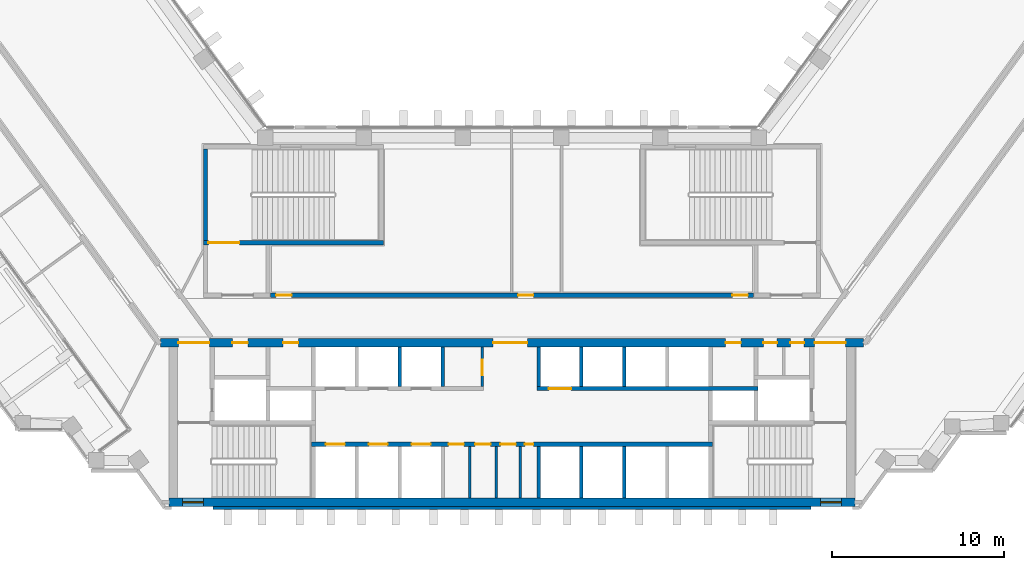
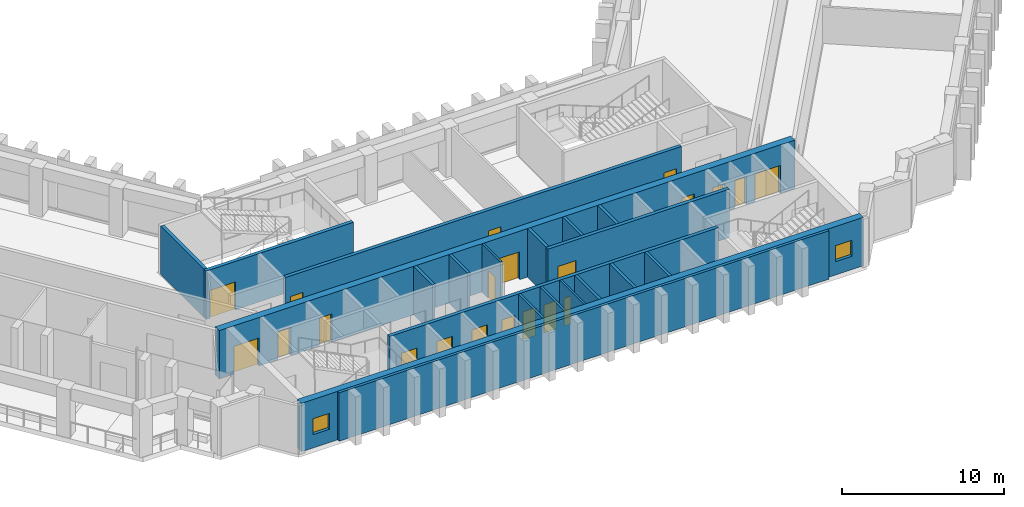
# One storey, part 9 of 16: 21 doors, 20 walls, 2 windows, 23 openings.
"""IFC4 building model written with IfcOpenShell, lengths in metres."""

import ifcopenshell
import ifcopenshell.guid

model = None  # the IFC model being written
_history = None  # IfcOwnerHistory: only IFC2X3 demands one
_inside = {}  # id of a spatial element -> (the spatial element, [elements in it])
_under = {}  # id of a project, library or spatial element -> (it, [spatial elements below it])
_declared = {}  # id of a project -> (the project, [libraries it declares])
_typed = {}  # id of a type object -> (the type object, [elements of that type])
_made_of = {}  # id of a material, layer set ... -> (it, [elements and type objects made of it])


def new_model(schema):
    """Start an empty IFC model of exactly this schema.

    Asked for "IFC4X3", IfcOpenShell would pick the latest addendum, in which some entities
    have other attributes; the version numbers below select the first issue.
    IFC2X3 requires an IfcOwnerHistory on every rooted entity: one is made here for all.
    """
    global model, _history
    if schema == "IFC4X3":
        model = ifcopenshell.file(schema_version=(4, 3, 0, 0))
    else:
        model = ifcopenshell.file(schema=schema)
    _inside.clear()
    _under.clear()
    _declared.clear()
    _typed.clear()
    _made_of.clear()
    _history = None
    if model.schema == "IFC2X3":
        org = make("IfcOrganization", Name="unknown")
        user = make(
            "IfcPersonAndOrganization",
            ThePerson=make("IfcPerson", FamilyName="unknown"),
            TheOrganization=org,
        )
        app = make(
            "IfcApplication",
            ApplicationDeveloper=org,
            Version="unknown",
            ApplicationFullName="unknown",
            ApplicationIdentifier="unknown",
        )
        _history = make(
            "IfcOwnerHistory",
            OwningUser=user,
            OwningApplication=app,
            ChangeAction="ADDED",
            CreationDate=0,
        )
    return model


def make(cls, **values):
    """One entity of the class cls with the attributes given. An attribute that is None is left unset."""
    return model.create_entity(
        cls, **{name: value for name, value in values.items() if value is not None}
    )


def rooted(cls, **values):
    """An entity with a GlobalId (a new one), such as an element, a storey or a relation."""
    return make(cls, GlobalId=ifcopenshell.guid.new(), OwnerHistory=_history, **values)


def si_unit(unit_type, name, prefix=None):
    """IfcSIUnit, for example si_unit("LENGTHUNIT", "METRE", prefix="MILLI")."""
    return make("IfcSIUnit", UnitType=unit_type, Prefix=prefix, Name=name)


def assignment(units):
    """IfcUnitAssignment: the units of a project."""
    return None if units is None else make("IfcUnitAssignment", Units=units)


def point(xyz):
    """IfcCartesianPoint."""
    return None if xyz is None else make("IfcCartesianPoint", Coordinates=xyz)


def direction(xyz):
    """IfcDirection."""
    return None if xyz is None else make("IfcDirection", DirectionRatios=xyz)


def frame(location, z_axis=None, x_axis=None):
    """IfcAxis2Placement3D, a coordinate frame: its origin and axes. An axis left out is left unset."""
    return make(
        "IfcAxis2Placement3D",
        Location=point(location),
        Axis=direction(z_axis),
        RefDirection=direction(x_axis),
    )


def frame_2d(location, x_axis=None):
    """IfcAxis2Placement2D, a coordinate frame in the plane: its origin and x axis."""
    return make(
        "IfcAxis2Placement2D", Location=point(location), RefDirection=direction(x_axis)
    )


def origin():
    """The frame at (0, 0, 0) with its axes left unset."""
    return frame((0.0, 0.0, 0.0))


def place(relative_to, where):
    """IfcLocalPlacement: puts the frame where relative to a parent placement (None: the world)."""
    return make(
        "IfcLocalPlacement", PlacementRelTo=relative_to, RelativePlacement=where
    )


def context(
    kind, dimensions, precision=None, world=None, true_north=None, identifier=None
):
    """IfcGeometricRepresentationContext, for example the 3D "Model" context."""
    return make(
        "IfcGeometricRepresentationContext",
        ContextIdentifier=identifier,
        ContextType=kind,
        CoordinateSpaceDimension=dimensions,
        Precision=precision,
        WorldCoordinateSystem=world,
        TrueNorth=true_north,
    )


def subcontext(parent, identifier, kind, view, scale=None):
    """IfcGeometricRepresentationSubContext, for example "Body" below "Model"."""
    return make(
        "IfcGeometricRepresentationSubContext",
        ContextIdentifier=identifier,
        ContextType=kind,
        ParentContext=parent,
        TargetScale=scale,
        TargetView=view,
    )


def project(units=None, contexts=None):
    """IfcProject with its units and contexts."""
    return rooted(
        "IfcProject",
        Name="project",
        RepresentationContexts=contexts,
        UnitsInContext=assignment(units),
    )


def spatial(cls, under=None, at=None, **own):
    """A site, building, storey or space (cls), placed at a placement, below another one or the project."""
    s = rooted(cls, ObjectPlacement=at, **own)
    if under is not None:
        _under.setdefault(under.id(), (under, []))[1].append(s)
    return s


def profile(cls, at=None, kind="AREA", **sizes):
    """A parametric profile (cls). Its sizes go by their IFC names, for example OverallWidth=200.0."""
    return make(cls, ProfileType=kind, Position=at, **sizes)


def rectangle(**sizes):
    """IfcRectangleProfileDef."""
    return profile("IfcRectangleProfileDef", **sizes)


def extrude(swept, where, along, depth):
    """IfcExtrudedAreaSolid: the profile swept, set in the frame where, extruded along a direction by depth."""
    return make(
        "IfcExtrudedAreaSolid",
        SweptArea=swept,
        Position=where,
        ExtrudedDirection=direction(along),
        Depth=depth,
    )


def shape(context_of_items, identifier, shape_type, items):
    """IfcShapeRepresentation: the items that make up one representation, for example the "Body"."""
    return make(
        "IfcShapeRepresentation",
        ContextOfItems=context_of_items,
        RepresentationIdentifier=identifier,
        RepresentationType=shape_type,
        Items=items,
    )


def material(Name=None, Category=None):
    """IfcMaterial."""
    return make("IfcMaterial", Name=Name, Category=Category)


def layer(
    of_material, thickness, ventilated=None, Name=None, Category=None, Priority=None
):
    """IfcMaterialLayer: one layer of a wall or slab, of a material (None: an air gap)."""
    return make(
        "IfcMaterialLayer",
        Material=of_material,
        LayerThickness=thickness,
        IsVentilated=ventilated,
        Name=Name,
        Category=Category,
        Priority=Priority,
    )


def layer_set(layers, Name=None):
    """IfcMaterialLayerSet."""
    return make("IfcMaterialLayerSet", MaterialLayers=layers, LayerSetName=Name)


def made_of(thing, what):
    """Note that an element or type object is made of a material, layer set ...; save() writes the relation."""
    if what is not None:
        _made_of.setdefault(what.id(), (what, []))[1].append(thing)
    return thing


def type_object(cls, material=None, **own):
    """A type object (cls), such as IfcWallType, which elements share."""
    return made_of(rooted(cls, **own), material)


def element(
    cls,
    number,
    at=None,
    inside=None,
    cuts=None,
    type_object=None,
    material=None,
    context=None,
    identifier="Body",
    shape_type=None,
    held_by="IfcProductDefinitionShape",
    body=None,
    shapes=None,
    **own,
):
    """One element of the class cls, such as IfcWall. Its Tag is "e" and its number.

    at: its placement. inside: the storey or other place that contains it. cuts: it is an
    opening in that element (IfcRelVoidsElement). A single representation is given by context,
    identifier, shape_type and body (its items); several are given by shapes. held_by: the class
    of the entity that holds the representations. save() writes the other relations.
    """
    e = rooted(cls, Tag="e%d" % number, ObjectPlacement=at, **own)
    if body is not None:
        shapes = [shape(context, identifier, shape_type, body)]
    if shapes is not None:
        e.Representation = make(held_by, Representations=shapes)
    if inside is not None:
        _inside.setdefault(inside.id(), (inside, []))[1].append(e)
    if cuts is not None:
        rooted(
            "IfcRelVoidsElement", RelatingBuildingElement=cuts, RelatedOpeningElement=e
        )
    if type_object is not None:
        _typed.setdefault(type_object.id(), (type_object, []))[1].append(e)
    return made_of(e, material)


def fill(opening, filler):
    """IfcRelFillsElement: the door or window that sits in an opening."""
    return rooted(
        "IfcRelFillsElement",
        RelatingOpeningElement=opening,
        RelatedBuildingElement=filler,
    )


def aggregate(whole, parts):
    """IfcRelAggregates: a whole, such as a stair, and the parts it consists of."""
    return rooted("IfcRelAggregates", RelatingObject=whole, RelatedObjects=parts)


def save(model, path):
    """Write the relations noted so far, then the file.

    IfcRelAggregates (storeys below a building ...), IfcRelContainedInSpatialStructure (elements
    in a storey), IfcRelDefinesByType, IfcRelAssociatesMaterial and IfcRelDeclares: one each for
    every whole, place, type object, material and project.
    """
    for whole, parts in _under.values():
        aggregate(whole, parts)
    for where, things in _inside.values():
        rooted(
            "IfcRelContainedInSpatialStructure",
            RelatedElements=things,
            RelatingStructure=where,
        )
    for kind, things in _typed.values():
        rooted("IfcRelDefinesByType", RelatedObjects=things, RelatingType=kind)
    for what, things in _made_of.values():
        rooted("IfcRelAssociatesMaterial", RelatedObjects=things, RelatingMaterial=what)
    for by, libraries in _declared.values():
        rooted("IfcRelDeclares", RelatingContext=by, RelatedDefinitions=libraries)
    model.write(path)


model = new_model("IFC4")

# Units and contexts
model_context = context("Model", 3, precision=1e-05, world=origin(), true_north=direction((0.0, 1.0)))
body_context = subcontext(model_context, "Body", "Model", "MODEL_VIEW")
ifc_project = project(units=[si_unit("LENGTHUNIT", "METRE"), si_unit("AREAUNIT", "SQUARE_METRE"), si_unit("VOLUMEUNIT", "CUBIC_METRE"), si_unit("PLANEANGLEUNIT", "RADIAN"), si_unit("MASSUNIT", "GRAM", prefix="KILO")], contexts=[model_context])

# Site, building, storey
site_placement = place(None, origin())
site = spatial("IfcSite", under=ifc_project, at=site_placement, CompositionType="ELEMENT")
building_placement = place(site_placement, origin())
building = spatial("IfcBuilding", under=site, at=building_placement, Name="Quipu Civic Tower", CompositionType="ELEMENT")
storey_placement = place(building_placement, frame((0.0, 0.0, 63.0)))
storey = spatial("IfcBuildingStorey", under=building, at=storey_placement, Name="L14", CompositionType="ELEMENT", Elevation=63.0)

# Wall, openings, doors
ifc_material_1 = material(Name="Concrete C70/85", Category="concrete")
ifc_layer_1 = layer(ifc_material_1, 0.25)
ifc_layer_set_1 = layer_set([ifc_layer_1], Name="Concrete C70/85")
wall_type_1 = type_object("IfcWallType", Name="Core wall 250", PredefinedType="SHEAR", material=ifc_layer_set_1)
wall_1_placement = place(storey_placement, frame((11.699951171875, -7.375, 0.0), z_axis=(0.0, 0.0, 1.0), x_axis=(-1.0, 0.0, 0.0)))
wall_1 = element("IfcWall", 1, at=wall_1_placement, inside=storey, type_object=wall_type_1, Name="Core wall", PredefinedType="SHEAR", context=body_context, shape_type="SweptSolid", body=[
    extrude(rectangle(XDim=23.39990234375, YDim=0.25, at=frame_2d((11.699951171875, 0.0))), origin(), (0.0, 0.0, 1.0), 3.64990234375),
])
opening_1_placement = place(wall_1_placement, frame((21.449951171875, 0.0, 0.0)))
opening_1 = element("IfcOpeningElement", 2, at=opening_1_placement, cuts=wall_1, Name="Opening LD-LL1", PredefinedType="OPENING", context=body_context, shape_type="SweptSolid", body=[
    extrude(rectangle(XDim=1.10009765625, YDim=2.10009765625, at=frame_2d((0.550048828125, 1.050048828125))), frame((0.0, 0.135009765625, 0.0), z_axis=(0.0, -1.0, 0.0), x_axis=(1.0, 0.0, 0.0)), (0.0, 0.0, 1.0), 0.27001953125),
])
opening_2_placement = place(wall_1_placement, frame((18.949951171875, 0.0, 0.0)))
opening_2 = element("IfcOpeningElement", 3, at=opening_2_placement, cuts=wall_1, Name="Opening LD-LL2", PredefinedType="OPENING", context=body_context, shape_type="SweptSolid", body=[
    extrude(rectangle(XDim=1.10009765625, YDim=2.10009765625, at=frame_2d((0.550048828125, 1.050048828125))), frame((0.0, 0.135009765625, 0.0), z_axis=(0.0, -1.0, 0.0), x_axis=(1.0, 0.0, 0.0)), (0.0, 0.0, 1.0), 0.27001953125),
])
opening_3_placement = place(wall_1_placement, frame((16.449951171875, 0.0, 0.0)))
opening_3 = element("IfcOpeningElement", 4, at=opening_3_placement, cuts=wall_1, Name="Opening LD-LL3", PredefinedType="OPENING", context=body_context, shape_type="SweptSolid", body=[
    extrude(rectangle(XDim=1.10009765625, YDim=2.10009765625, at=frame_2d((0.550048828125, 1.050048828125))), frame((0.0, 0.135009765625, 0.0), z_axis=(0.0, -1.0, 0.0), x_axis=(1.0, 0.0, 0.0)), (0.0, 0.0, 1.0), 0.27001953125),
])
opening_4_placement = place(wall_1_placement, frame((14.5, 0.0, 0.0)))
opening_4 = element("IfcOpeningElement", 5, at=opening_4_placement, cuts=wall_1, Name="Opening CD-01", PredefinedType="OPENING", context=body_context, shape_type="SweptSolid", body=[
    extrude(rectangle(XDim=0.89990234375, YDim=2.10009765625, at=frame_2d((0.449951171875, 1.050048828125))), frame((0.0, 0.135009765625, 0.0), z_axis=(0.0, -1.0, 0.0), x_axis=(1.0, 0.0, 0.0)), (0.0, 0.0, 1.0), 0.27001953125),
])
opening_5_placement = place(wall_1_placement, frame((12.949951171875, 0.0, 0.0)))
opening_5 = element("IfcOpeningElement", 6, at=opening_5_placement, cuts=wall_1, Name="Opening CD-02", PredefinedType="OPENING", context=body_context, shape_type="SweptSolid", body=[
    extrude(rectangle(XDim=0.89990234375, YDim=2.10009765625, at=frame_2d((0.449951171875, 1.050048828125))), frame((0.0, 0.135009765625, 0.0), z_axis=(0.0, -1.0, 0.0), x_axis=(1.0, 0.0, 0.0)), (0.0, 0.0, 1.0), 0.27001953125),
])
opening_6_placement = place(wall_1_placement, frame((11.47509765625, 0.0, 0.0)))
opening_6 = element("IfcOpeningElement", 7, at=opening_6_placement, cuts=wall_1, Name="Opening CD-03", PredefinedType="OPENING", context=body_context, shape_type="SweptSolid", body=[
    extrude(rectangle(XDim=0.89990234375, YDim=2.10009765625, at=frame_2d((0.449951171875, 1.050048828125))), frame((0.0, 0.135009765625, 0.0), z_axis=(0.0, -1.0, 0.0), x_axis=(1.0, 0.0, 0.0)), (0.0, 0.0, 1.0), 0.27001953125),
])
opening_7_placement = place(wall_1_placement, frame((10.449951171875, 0.0, 0.0)))
opening_7 = element("IfcOpeningElement", 8, at=opening_7_placement, cuts=wall_1, Name="Opening CD-04", PredefinedType="OPENING", context=body_context, shape_type="SweptSolid", body=[
    extrude(rectangle(XDim=0.5, YDim=2.10009765625, at=frame_2d((0.25, 1.050048828125))), frame((0.0, 0.135009765625, 0.0), z_axis=(0.0, -1.0, 0.0), x_axis=(1.0, 0.0, 0.0)), (0.0, 0.0, 1.0), 0.27001953125),
])
ifc_material_2 = material(Name="Fire rated steel door", Category="steel")
door_type_1 = type_object("IfcDoorType", Name="Fire door FD60 500 x 2100", OperationType="NOTDEFINED", PredefinedType="DOOR", material=ifc_material_2)
door_1_placement = place(opening_7_placement, origin())
door_1 = element("IfcDoor", 9, at=door_1_placement, inside=storey, type_object=door_type_1, Name="Door", OperationType="SINGLE_SWING_LEFT", OverallHeight=2.10009765625, OverallWidth=0.5, PredefinedType="DOOR", context=body_context, shape_type="SweptSolid", body=[
    extrude(rectangle(XDim=0.5, YDim=2.10009765625, at=frame_2d((0.25, 1.050048828125))), frame((0.0, 0.02490234375, 0.0), z_axis=(0.0, -1.0, 0.0), x_axis=(1.0, 0.0, 0.0)), (0.0, 0.0, 1.0), 0.050048828125),
])
fill(opening_7, door_1)
ifc_material_3 = material(Name="Fire rated steel door", Category="steel")
door_type_2 = type_object("IfcDoorType", Name="Fire door FD60 900 x 2100", OperationType="NOTDEFINED", PredefinedType="DOOR", material=ifc_material_3)
door_2_placement = place(opening_4_placement, origin())
door_2 = element("IfcDoor", 10, at=door_2_placement, inside=storey, type_object=door_type_2, Name="WC door", OperationType="SINGLE_SWING_RIGHT", OverallHeight=2.10009765625, OverallWidth=0.89990234375, PredefinedType="DOOR", context=body_context, shape_type="SweptSolid", body=[
    extrude(rectangle(XDim=0.89990234375, YDim=2.10009765625, at=frame_2d((0.449951171875, 1.050048828125))), frame((0.0, 0.02490234375, 0.0), z_axis=(0.0, -1.0, 0.0), x_axis=(1.0, 0.0, 0.0)), (0.0, 0.0, 1.0), 0.050048828125),
])
fill(opening_4, door_2)
door_3_placement = place(opening_5_placement, origin())
door_3 = element("IfcDoor", 11, at=door_3_placement, inside=storey, type_object=door_type_2, Name="WC door", OperationType="SINGLE_SWING_RIGHT", OverallHeight=2.10009765625, OverallWidth=0.89990234375, PredefinedType="DOOR", context=body_context, shape_type="SweptSolid", body=[
    extrude(rectangle(XDim=0.89990234375, YDim=2.10009765625, at=frame_2d((0.449951171875, 1.050048828125))), frame((0.0, 0.02490234375, 0.0), z_axis=(0.0, -1.0, 0.0), x_axis=(1.0, 0.0, 0.0)), (0.0, 0.0, 1.0), 0.050048828125),
])
fill(opening_5, door_3)
door_4_placement = place(opening_6_placement, origin())
door_4 = element("IfcDoor", 12, at=door_4_placement, inside=storey, type_object=door_type_2, Name="WC door", OperationType="SINGLE_SWING_RIGHT", OverallHeight=2.10009765625, OverallWidth=0.89990234375, PredefinedType="DOOR", context=body_context, shape_type="SweptSolid", body=[
    extrude(rectangle(XDim=0.89990234375, YDim=2.10009765625, at=frame_2d((0.449951171875, 1.050048828125))), frame((0.0, 0.02490234375, 0.0), z_axis=(0.0, -1.0, 0.0), x_axis=(1.0, 0.0, 0.0)), (0.0, 0.0, 1.0), 0.050048828125),
])
fill(opening_6, door_4)
ifc_material_4 = material(Name="Stainless steel", Category="steel")
door_type_3 = type_object("IfcDoorType", Name="Lift landing door 1100 x 2100", OperationType="DOUBLE_DOOR_SLIDING", PredefinedType="DOOR", material=ifc_material_4)
door_5_placement = place(opening_1_placement, origin())
door_5 = element("IfcDoor", 13, at=door_5_placement, inside=storey, type_object=door_type_3, Name="Landing door LL1", OperationType="DOUBLE_DOOR_SLIDING", OverallHeight=2.10009765625, OverallWidth=1.10009765625, PredefinedType="DOOR", context=body_context, shape_type="SweptSolid", body=[
    extrude(rectangle(XDim=1.10009765625, YDim=2.10009765625, at=frame_2d((0.550048828125, 1.050048828125))), frame((0.0, 0.02490234375, 0.0), z_axis=(0.0, -1.0, 0.0), x_axis=(1.0, 0.0, 0.0)), (0.0, 0.0, 1.0), 0.050048828125),
])
fill(opening_1, door_5)
door_6_placement = place(opening_2_placement, origin())
door_6 = element("IfcDoor", 14, at=door_6_placement, inside=storey, type_object=door_type_3, Name="Landing door LL2", OperationType="DOUBLE_DOOR_SLIDING", OverallHeight=2.10009765625, OverallWidth=1.10009765625, PredefinedType="DOOR", context=body_context, shape_type="SweptSolid", body=[
    extrude(rectangle(XDim=1.10009765625, YDim=2.10009765625, at=frame_2d((0.550048828125, 1.050048828125))), frame((0.0, 0.02490234375, 0.0), z_axis=(0.0, -1.0, 0.0), x_axis=(1.0, 0.0, 0.0)), (0.0, 0.0, 1.0), 0.050048828125),
])
fill(opening_2, door_6)
door_7_placement = place(opening_3_placement, origin())
door_7 = element("IfcDoor", 15, at=door_7_placement, inside=storey, type_object=door_type_3, Name="Landing door LL3", OperationType="DOUBLE_DOOR_SLIDING", OverallHeight=2.10009765625, OverallWidth=1.10009765625, PredefinedType="DOOR", context=body_context, shape_type="SweptSolid", body=[
    extrude(rectangle(XDim=1.10009765625, YDim=2.10009765625, at=frame_2d((0.550048828125, 1.050048828125))), frame((0.0, 0.02490234375, 0.0), z_axis=(0.0, -1.0, 0.0), x_axis=(1.0, 0.0, 0.0)), (0.0, 0.0, 1.0), 0.050048828125),
])
fill(opening_3, door_7)

# Wall, opening, door
wall_2_placement = place(storey_placement, frame((1.449951171875, -4.125, 0.0), z_axis=(0.0, 0.0, 1.0), x_axis=(1.0, 0.0, 0.0)))
wall_2 = element("IfcWall", 16, at=wall_2_placement, inside=storey, type_object=wall_type_1, Name="Core wall", PredefinedType="SHEAR", context=body_context, shape_type="SweptSolid", body=[
    extrude(rectangle(XDim=12.900146484375, YDim=0.25, at=frame_2d((6.4501953125, 0.0))), origin(), (0.0, 0.0, 1.0), 3.64990234375),
])
opening_8_placement = place(wall_2_placement, frame((0.699951171875, 0.0, 0.0)))
opening_8 = element("IfcOpeningElement", 17, at=opening_8_placement, cuts=wall_2, Name="Opening LD-FF3", PredefinedType="OPENING", context=body_context, shape_type="SweptSolid", body=[
    extrude(rectangle(XDim=1.300048828125, YDim=2.10009765625, at=frame_2d((0.64990234375, 1.050048828125))), frame((0.0, 0.135009765625, 0.0), z_axis=(0.0, -1.0, 0.0), x_axis=(1.0, 0.0, 0.0)), (0.0, 0.0, 1.0), 0.27001953125),
])
ifc_material_5 = material(Name="Stainless steel", Category="steel")
door_type_4 = type_object("IfcDoorType", Name="Lift landing door 1300 x 2100", OperationType="DOUBLE_DOOR_SLIDING", PredefinedType="DOOR", material=ifc_material_5)
door_8_placement = place(opening_8_placement, origin())
door_8 = element("IfcDoor", 18, at=door_8_placement, inside=storey, type_object=door_type_4, Name="Landing door FF3", OperationType="DOUBLE_DOOR_SLIDING", OverallHeight=2.10009765625, OverallWidth=1.300048828125, PredefinedType="DOOR", context=body_context, shape_type="SweptSolid", body=[
    extrude(rectangle(XDim=1.300048828125, YDim=2.10009765625, at=frame_2d((0.64990234375, 1.050048828125))), frame((0.0, 0.02490234375, 0.0), z_axis=(0.0, -1.0, 0.0), x_axis=(1.0, 0.0, 0.0)), (0.0, 0.0, 1.0), 0.050048828125),
])
fill(opening_8, door_8)

wall_3_placement = place(storey_placement, frame((-18.0, 4.375, 0.0), z_axis=(0.0, 0.0, 1.0), x_axis=(1.0, 0.0, 0.0)))
wall_3 = element("IfcWall", 19, at=wall_3_placement, inside=storey, type_object=wall_type_1, Name="Core wall", PredefinedType="SHEAR", context=body_context, shape_type="SweptSolid", body=[
    extrude(rectangle(XDim=10.5, YDim=0.25, at=frame_2d((5.25, 0.0))), origin(), (0.0, 0.0, 1.0), 3.64990234375),
])
opening_9_placement = place(wall_3_placement, frame((0.300048828125, 0.0, 0.0)))
opening_9 = element("IfcOpeningElement", 20, at=opening_9_placement, cuts=wall_3, Name="Opening CD-17", PredefinedType="OPENING", context=body_context, shape_type="SweptSolid", body=[
    extrude(rectangle(XDim=1.800048828125, YDim=2.10009765625, at=frame_2d((0.89990234375, 1.050048828125))), frame((0.0, 0.135009765625, 0.0), z_axis=(0.0, -1.0, 0.0), x_axis=(1.0, 0.0, 0.0)), (0.0, 0.0, 1.0), 0.27001953125),
])
ifc_material_6 = material(Name="Fire rated steel door", Category="steel")
door_type_5 = type_object("IfcDoorType", Name="Fire door FD90 double 1800 x 2100", OperationType="NOTDEFINED", PredefinedType="DOOR", material=ifc_material_6)
door_9_placement = place(opening_9_placement, origin())
door_9 = element("IfcDoor", 21, at=door_9_placement, inside=storey, type_object=door_type_5, Name="Door", OperationType="DOUBLE_DOOR_SINGLE_SWING", OverallHeight=2.10009765625, OverallWidth=1.800048828125, PredefinedType="DOOR", context=body_context, shape_type="SweptSolid", body=[
    extrude(rectangle(XDim=1.800048828125, YDim=2.10009765625, at=frame_2d((0.89990234375, 1.050048828125))), frame((0.0, 0.02490234375, 0.0), z_axis=(0.0, -1.0, 0.0), x_axis=(1.0, 0.0, 0.0)), (0.0, 0.0, 1.0), 0.050048828125),
])
fill(opening_9, door_9)

# Wall
wall_4_placement = place(storey_placement, frame((-17.875, 4.5, 0.0), z_axis=(0.0, 0.0, 1.0), x_axis=(0.0, 1.0, 0.0)))
element("IfcWall", 22, at=wall_4_placement, inside=storey, type_object=wall_type_1, Name="Core wall", PredefinedType="SHEAR", context=body_context, shape_type="SweptSolid", body=[
    extrude(rectangle(XDim=5.35009765625, YDim=0.25, at=frame_2d((2.675048828125, 0.0))), origin(), (0.0, 0.0, 1.0), 3.64990234375),
])

# Wall, openings, windows
ifc_material_7 = material(Name="Concrete C70/85", Category="concrete")
ifc_layer_2 = layer(ifc_material_7, 0.5)
ifc_layer_set_2 = layer_set([ifc_layer_2], Name="Concrete C70/85")
wall_type_2 = type_object("IfcWallType", Name="Core wall 500", PredefinedType="SHEAR", material=ifc_layer_set_2)
wall_5_placement = place(storey_placement, frame((-20.0, -10.75, 0.0), z_axis=(0.0, 0.0, 1.0), x_axis=(1.0, 0.0, 0.0)))
wall_5 = element("IfcWall", 23, at=wall_5_placement, inside=storey, type_object=wall_type_2, Name="Core wall", PredefinedType="SHEAR", context=body_context, shape_type="SweptSolid", body=[
    extrude(rectangle(XDim=40.0, YDim=0.5, at=frame_2d((20.0, 0.0))), origin(), (0.0, 0.0, 1.0), 3.64990234375),
])
opening_10_placement = place(wall_5_placement, frame((0.800048828125, 0.0, 1.0)))
opening_10 = element("IfcOpeningElement", 24, at=opening_10_placement, cuts=wall_5, Name="Opening SV-1", PredefinedType="OPENING", context=body_context, shape_type="SweptSolid", body=[
    extrude(rectangle(XDim=1.199951171875, YDim=1.199951171875, at=frame_2d((0.60009765625, 0.60009765625))), frame((0.0, 0.260009765625, 0.0), z_axis=(0.0, -1.0, 0.0), x_axis=(1.0, 0.0, 0.0)), (0.0, 0.0, 1.0), 0.52001953125),
])
opening_11_placement = place(wall_5_placement, frame((38.0, 0.0, 1.0)))
opening_11 = element("IfcOpeningElement", 25, at=opening_11_placement, cuts=wall_5, Name="Opening SV-2", PredefinedType="OPENING", context=body_context, shape_type="SweptSolid", body=[
    extrude(rectangle(XDim=1.199951171875, YDim=1.199951171875, at=frame_2d((0.60009765625, 0.60009765625))), frame((0.0, 0.260009765625, 0.0), z_axis=(0.0, -1.0, 0.0), x_axis=(1.0, 0.0, 0.0)), (0.0, 0.0, 1.0), 0.52001953125),
])
ifc_material_8 = material(Name="Aluminium louvre", Category="aluminium")
window_type = type_object("IfcWindowType", Name="Stair ventilation louvre 1200 x 1200", PartitioningType="SINGLE_PANEL", PredefinedType="WINDOW", material=ifc_material_8)
window_1_placement = place(opening_10_placement, origin())
window_1 = element("IfcWindow", 26, at=window_1_placement, inside=storey, type_object=window_type, Name="Stair ventilation opening", OverallHeight=1.199951171875, OverallWidth=1.199951171875, PartitioningType="SINGLE_PANEL", PredefinedType="WINDOW", context=body_context, shape_type="SweptSolid", body=[
    extrude(rectangle(XDim=1.199951171875, YDim=1.199951171875, at=frame_2d((0.60009765625, 0.60009765625))), frame((0.0, 0.030029296875, 0.0), z_axis=(0.0, -1.0, 0.0), x_axis=(1.0, 0.0, 0.0)), (0.0, 0.0, 1.0), 0.06005859375),
])
fill(opening_10, window_1)
window_2_placement = place(opening_11_placement, origin())
window_2 = element("IfcWindow", 27, at=window_2_placement, inside=storey, type_object=window_type, Name="Stair ventilation opening", OverallHeight=1.199951171875, OverallWidth=1.199951171875, PartitioningType="SINGLE_PANEL", PredefinedType="WINDOW", context=body_context, shape_type="SweptSolid", body=[
    extrude(rectangle(XDim=1.199951171875, YDim=1.199951171875, at=frame_2d((0.60009765625, 0.60009765625))), frame((0.0, 0.030029296875, 0.0), z_axis=(0.0, -1.0, 0.0), x_axis=(1.0, 0.0, 0.0)), (0.0, 0.0, 1.0), 0.06005859375),
])
fill(opening_11, window_2)

# Wall, openings, doors
wall_6_placement = place(storey_placement, frame((20.489990234375, -1.449951171875, 0.0), z_axis=(0.0, 0.0, 1.0), x_axis=(-1.0, 0.0, 0.0)))
wall_6 = element("IfcWall", 28, at=wall_6_placement, inside=storey, type_object=wall_type_2, Name="Core wall", PredefinedType="SHEAR", context=body_context, shape_type="SweptSolid", body=[
    extrude(rectangle(XDim=40.97998046875, YDim=0.5, at=frame_2d((20.489990234375, 0.0))), origin(), (0.0, 0.0, 1.0), 3.64990234375),
])
opening_12_placement = place(wall_6_placement, frame((38.139892578125, 0.0, 0.0)))
opening_12 = element("IfcOpeningElement", 29, at=opening_12_placement, cuts=wall_6, Name="Opening CD-08", PredefinedType="OPENING", context=body_context, shape_type="SweptSolid", body=[
    extrude(rectangle(XDim=1.800048828125, YDim=2.10009765625, at=frame_2d((0.89990234375, 1.050048828125))), frame((0.0, 0.260009765625, 0.0), z_axis=(0.0, -1.0, 0.0), x_axis=(1.0, 0.0, 0.0)), (0.0, 0.0, 1.0), 0.52001953125),
])
opening_13_placement = place(wall_6_placement, frame((35.889892578125, 0.0, 0.0)))
opening_13 = element("IfcOpeningElement", 30, at=opening_13_placement, cuts=wall_6, Name="Opening CD-09", PredefinedType="OPENING", context=body_context, shape_type="SweptSolid", body=[
    extrude(rectangle(XDim=0.89990234375, YDim=2.10009765625, at=frame_2d((0.449951171875, 1.050048828125))), frame((0.0, 0.260009765625, 0.0), z_axis=(0.0, -1.0, 0.0), x_axis=(1.0, 0.0, 0.0)), (0.0, 0.0, 1.0), 0.52001953125),
])
opening_14_placement = place(wall_6_placement, frame((32.93994140625, 0.0, 0.0)))
opening_14 = element("IfcOpeningElement", 31, at=opening_14_placement, cuts=wall_6, Name="Opening CD-10", PredefinedType="OPENING", context=body_context, shape_type="SweptSolid", body=[
    extrude(rectangle(XDim=0.89990234375, YDim=2.10009765625, at=frame_2d((0.449951171875, 1.050048828125))), frame((0.0, 0.260009765625, 0.0), z_axis=(0.0, -1.0, 0.0), x_axis=(1.0, 0.0, 0.0)), (0.0, 0.0, 1.0), 0.52001953125),
])
opening_15_placement = place(wall_6_placement, frame((19.590087890625, 0.0, 0.0)))
opening_15 = element("IfcOpeningElement", 32, at=opening_15_placement, cuts=wall_6, Name="Opening CD-11", PredefinedType="OPENING", context=body_context, shape_type="SweptSolid", body=[
    extrude(rectangle(XDim=2.0, YDim=2.10009765625, at=frame_2d((1.0, 1.050048828125))), frame((0.0, 0.260009765625, 0.0), z_axis=(0.0, -1.0, 0.0), x_axis=(1.0, 0.0, 0.0)), (0.0, 0.0, 1.0), 0.52001953125),
])
opening_16_placement = place(wall_6_placement, frame((7.139892578125, 0.0, 0.0)))
opening_16 = element("IfcOpeningElement", 33, at=opening_16_placement, cuts=wall_6, Name="Opening CD-12", PredefinedType="OPENING", context=body_context, shape_type="SweptSolid", body=[
    extrude(rectangle(XDim=0.89990234375, YDim=2.10009765625, at=frame_2d((0.449951171875, 1.050048828125))), frame((0.0, 0.260009765625, 0.0), z_axis=(0.0, -1.0, 0.0), x_axis=(1.0, 0.0, 0.0)), (0.0, 0.0, 1.0), 0.52001953125),
])
opening_17_placement = place(wall_6_placement, frame((5.027587890625, 0.0, 0.0)))
opening_17 = element("IfcOpeningElement", 34, at=opening_17_placement, cuts=wall_6, Name="Opening CD-13", PredefinedType="OPENING", context=body_context, shape_type="SweptSolid", body=[
    extrude(rectangle(XDim=0.800048828125, YDim=2.10009765625, at=frame_2d((0.39990234375, 1.050048828125))), frame((0.0, 0.260009765625, 0.0), z_axis=(0.0, -1.0, 0.0), x_axis=(1.0, 0.0, 0.0)), (0.0, 0.0, 1.0), 0.52001953125),
])
opening_18_placement = place(wall_6_placement, frame((3.452392578125, 0.0, 0.0)))
opening_18 = element("IfcOpeningElement", 35, at=opening_18_placement, cuts=wall_6, Name="Opening CD-14", PredefinedType="OPENING", context=body_context, shape_type="SweptSolid", body=[
    extrude(rectangle(XDim=0.800048828125, YDim=2.10009765625, at=frame_2d((0.39990234375, 1.050048828125))), frame((0.0, 0.260009765625, 0.0), z_axis=(0.0, -1.0, 0.0), x_axis=(1.0, 0.0, 0.0)), (0.0, 0.0, 1.0), 0.52001953125),
])
opening_19_placement = place(wall_6_placement, frame((1.0400390625, 0.0, 0.0)))
opening_19 = element("IfcOpeningElement", 36, at=opening_19_placement, cuts=wall_6, Name="Opening CD-15", PredefinedType="OPENING", context=body_context, shape_type="SweptSolid", body=[
    extrude(rectangle(XDim=1.800048828125, YDim=2.10009765625, at=frame_2d((0.89990234375, 1.050048828125))), frame((0.0, 0.260009765625, 0.0), z_axis=(0.0, -1.0, 0.0), x_axis=(1.0, 0.0, 0.0)), (0.0, 0.0, 1.0), 0.52001953125),
])
ifc_material_9 = material(Name="Fire rated steel door", Category="steel")
door_type_6 = type_object("IfcDoorType", Name="Fire door FD60 800 x 2100", OperationType="NOTDEFINED", PredefinedType="DOOR", material=ifc_material_9)
door_10_placement = place(opening_17_placement, origin())
door_10 = element("IfcDoor", 37, at=door_10_placement, inside=storey, type_object=door_type_6, Name="Door", OperationType="SINGLE_SWING_LEFT", OverallHeight=2.10009765625, OverallWidth=0.800048828125, PredefinedType="DOOR", context=body_context, shape_type="SweptSolid", body=[
    extrude(rectangle(XDim=0.800048828125, YDim=2.10009765625, at=frame_2d((0.39990234375, 1.050048828125))), frame((0.0, 0.02490234375, 0.0), z_axis=(0.0, -1.0, 0.0), x_axis=(1.0, 0.0, 0.0)), (0.0, 0.0, 1.0), 0.050048828125),
])
fill(opening_17, door_10)
door_11_placement = place(opening_18_placement, origin())
door_11 = element("IfcDoor", 38, at=door_11_placement, inside=storey, type_object=door_type_6, Name="Door", OperationType="SINGLE_SWING_LEFT", OverallHeight=2.10009765625, OverallWidth=0.800048828125, PredefinedType="DOOR", context=body_context, shape_type="SweptSolid", body=[
    extrude(rectangle(XDim=0.800048828125, YDim=2.10009765625, at=frame_2d((0.39990234375, 1.050048828125))), frame((0.0, 0.02490234375, 0.0), z_axis=(0.0, -1.0, 0.0), x_axis=(1.0, 0.0, 0.0)), (0.0, 0.0, 1.0), 0.050048828125),
])
fill(opening_18, door_11)
door_12_placement = place(opening_13_placement, origin())
door_12 = element("IfcDoor", 39, at=door_12_placement, inside=storey, type_object=door_type_2, Name="Door", OperationType="SINGLE_SWING_RIGHT", OverallHeight=2.10009765625, OverallWidth=0.89990234375, PredefinedType="DOOR", context=body_context, shape_type="SweptSolid", body=[
    extrude(rectangle(XDim=0.89990234375, YDim=2.10009765625, at=frame_2d((0.449951171875, 1.050048828125))), frame((0.0, 0.02490234375, 0.0), z_axis=(0.0, -1.0, 0.0), x_axis=(1.0, 0.0, 0.0)), (0.0, 0.0, 1.0), 0.050048828125),
])
fill(opening_13, door_12)
door_13_placement = place(opening_14_placement, origin())
door_13 = element("IfcDoor", 40, at=door_13_placement, inside=storey, type_object=door_type_2, Name="Riser door", OperationType="SINGLE_SWING_RIGHT", OverallHeight=2.10009765625, OverallWidth=0.89990234375, PredefinedType="DOOR", context=body_context, shape_type="SweptSolid", body=[
    extrude(rectangle(XDim=0.89990234375, YDim=2.10009765625, at=frame_2d((0.449951171875, 1.050048828125))), frame((0.0, 0.02490234375, 0.0), z_axis=(0.0, -1.0, 0.0), x_axis=(1.0, 0.0, 0.0)), (0.0, 0.0, 1.0), 0.050048828125),
])
fill(opening_14, door_13)
door_14_placement = place(opening_16_placement, origin())
door_14 = element("IfcDoor", 41, at=door_14_placement, inside=storey, type_object=door_type_2, Name="Riser door", OperationType="SINGLE_SWING_LEFT", OverallHeight=2.10009765625, OverallWidth=0.89990234375, PredefinedType="DOOR", context=body_context, shape_type="SweptSolid", body=[
    extrude(rectangle(XDim=0.89990234375, YDim=2.10009765625, at=frame_2d((0.449951171875, 1.050048828125))), frame((0.0, 0.02490234375, 0.0), z_axis=(0.0, -1.0, 0.0), x_axis=(1.0, 0.0, 0.0)), (0.0, 0.0, 1.0), 0.050048828125),
])
fill(opening_16, door_14)
door_15_placement = place(opening_12_placement, origin())
door_15 = element("IfcDoor", 42, at=door_15_placement, inside=storey, type_object=door_type_5, Name="Lobby door", OperationType="DOUBLE_DOOR_SINGLE_SWING", OverallHeight=2.10009765625, OverallWidth=1.800048828125, PredefinedType="DOOR", context=body_context, shape_type="SweptSolid", body=[
    extrude(rectangle(XDim=1.800048828125, YDim=2.10009765625, at=frame_2d((0.89990234375, 1.050048828125))), frame((0.0, 0.02490234375, 0.0), z_axis=(0.0, -1.0, 0.0), x_axis=(1.0, 0.0, 0.0)), (0.0, 0.0, 1.0), 0.050048828125),
])
fill(opening_12, door_15)
door_16_placement = place(opening_19_placement, origin())
door_16 = element("IfcDoor", 43, at=door_16_placement, inside=storey, type_object=door_type_5, Name="Lobby door", OperationType="DOUBLE_DOOR_SINGLE_SWING", OverallHeight=2.10009765625, OverallWidth=1.800048828125, PredefinedType="DOOR", context=body_context, shape_type="SweptSolid", body=[
    extrude(rectangle(XDim=1.800048828125, YDim=2.10009765625, at=frame_2d((0.89990234375, 1.050048828125))), frame((0.0, 0.02490234375, 0.0), z_axis=(0.0, -1.0, 0.0), x_axis=(1.0, 0.0, 0.0)), (0.0, 0.0, 1.0), 0.050048828125),
])
fill(opening_19, door_16)
ifc_material_10 = material(Name="Fire rated steel door", Category="steel")
door_type_7 = type_object("IfcDoorType", Name="Fire door FD90 double 2000 x 2100", OperationType="NOTDEFINED", PredefinedType="DOOR", material=ifc_material_10)
door_17_placement = place(opening_15_placement, origin())
door_17 = element("IfcDoor", 44, at=door_17_placement, inside=storey, type_object=door_type_7, Name="Lobby door", OperationType="DOUBLE_DOOR_SINGLE_SWING", OverallHeight=2.10009765625, OverallWidth=2.0, PredefinedType="DOOR", context=body_context, shape_type="SweptSolid", body=[
    extrude(rectangle(XDim=2.0, YDim=2.10009765625, at=frame_2d((1.0, 1.050048828125))), frame((0.0, 0.02490234375, 0.0), z_axis=(0.0, -1.0, 0.0), x_axis=(1.0, 0.0, 0.0)), (0.0, 0.0, 1.0), 0.050048828125),
])
fill(opening_15, door_17)

ifc_material_11 = material(Name="Concrete C50/60", Category="concrete")
ifc_layer_3 = layer(ifc_material_11, 0.25)
ifc_layer_set_3 = layer_set([ifc_layer_3], Name="Concrete C50/60")
wall_type_3 = type_object("IfcWallType", Name="Corridor wall 250 concrete", PredefinedType="SOLIDWALL", material=ifc_layer_set_3)
wall_7_placement = place(storey_placement, frame((-14.090087890625, 1.324951171875, 0.0), z_axis=(0.0, 0.0, 1.0), x_axis=(1.0, 0.0, 0.0)))
wall_7 = element("IfcWall", 45, at=wall_7_placement, inside=storey, type_object=wall_type_3, Name="Corridor wall C05", PredefinedType="SOLIDWALL", context=body_context, shape_type="SweptSolid", body=[
    extrude(rectangle(XDim=28.18017578125, YDim=0.25, at=frame_2d((14.090087890625, 0.0))), origin(), (0.0, 0.0, 1.0), 3.64990234375),
])
opening_20_placement = place(wall_7_placement, frame((26.93994140625, 0.0, 0.0)))
opening_20 = element("IfcOpeningElement", 46, at=opening_20_placement, cuts=wall_7, Name="Opening D010", PredefinedType="OPENING", context=body_context, shape_type="SweptSolid", body=[
    extrude(rectangle(XDim=0.89990234375, YDim=2.10009765625, at=frame_2d((0.449951171875, 1.050048828125))), frame((0.0, 0.135009765625, 0.0), z_axis=(0.0, -1.0, 0.0), x_axis=(1.0, 0.0, 0.0)), (0.0, 0.0, 1.0), 0.27001953125),
])
opening_21_placement = place(wall_7_placement, frame((0.340087890625, 0.0, 0.0)))
opening_21 = element("IfcOpeningElement", 47, at=opening_21_placement, cuts=wall_7, Name="Opening D008", PredefinedType="OPENING", context=body_context, shape_type="SweptSolid", body=[
    extrude(rectangle(XDim=0.89990234375, YDim=2.10009765625, at=frame_2d((0.449951171875, 1.050048828125))), frame((0.0, 0.135009765625, 0.0), z_axis=(0.0, -1.0, 0.0), x_axis=(1.0, 0.0, 0.0)), (0.0, 0.0, 1.0), 0.27001953125),
])
opening_22_placement = place(wall_7_placement, frame((14.43994140625, 0.0, 0.0)))
opening_22 = element("IfcOpeningElement", 48, at=opening_22_placement, cuts=wall_7, Name="Opening D009", PredefinedType="OPENING", context=body_context, shape_type="SweptSolid", body=[
    extrude(rectangle(XDim=0.89990234375, YDim=2.10009765625, at=frame_2d((0.449951171875, 1.050048828125))), frame((0.0, 0.135009765625, 0.0), z_axis=(0.0, -1.0, 0.0), x_axis=(1.0, 0.0, 0.0)), (0.0, 0.0, 1.0), 0.27001953125),
])
ifc_material_12 = material(Name="Fire rated timber door set with metal frame", Category="wood")
door_type_8 = type_object("IfcDoorType", Name="Single door 900 x 2100 FD60", OperationType="NOTDEFINED", PredefinedType="DOOR", material=ifc_material_12)
door_18_placement = place(opening_20_placement, origin())
door_18 = element("IfcDoor", 49, at=door_18_placement, inside=storey, type_object=door_type_8, Name="Door D010", OperationType="SINGLE_SWING_RIGHT", OverallHeight=2.10009765625, OverallWidth=0.89990234375, PredefinedType="DOOR", context=body_context, shape_type="SweptSolid", body=[
    extrude(rectangle(XDim=0.89990234375, YDim=2.10009765625, at=frame_2d((0.449951171875, 1.050048828125))), frame((0.0, 0.02490234375, 0.0), z_axis=(0.0, -1.0, 0.0), x_axis=(1.0, 0.0, 0.0)), (0.0, 0.0, 1.0), 0.050048828125),
])
fill(opening_20, door_18)
door_19_placement = place(opening_21_placement, origin())
door_19 = element("IfcDoor", 50, at=door_19_placement, inside=storey, type_object=door_type_8, Name="Door D008", OperationType="SINGLE_SWING_LEFT", OverallHeight=2.10009765625, OverallWidth=0.89990234375, PredefinedType="DOOR", context=body_context, shape_type="SweptSolid", body=[
    extrude(rectangle(XDim=0.89990234375, YDim=2.10009765625, at=frame_2d((0.449951171875, 1.050048828125))), frame((0.0, 0.02490234375, 0.0), z_axis=(0.0, -1.0, 0.0), x_axis=(1.0, 0.0, 0.0)), (0.0, 0.0, 1.0), 0.050048828125),
])
fill(opening_21, door_19)
door_20_placement = place(opening_22_placement, origin())
door_20 = element("IfcDoor", 51, at=door_20_placement, inside=storey, type_object=door_type_8, Name="Door D009", OperationType="SINGLE_SWING_LEFT", OverallHeight=2.10009765625, OverallWidth=0.89990234375, PredefinedType="DOOR", context=body_context, shape_type="SweptSolid", body=[
    extrude(rectangle(XDim=0.89990234375, YDim=2.10009765625, at=frame_2d((0.449951171875, 1.050048828125))), frame((0.0, 0.02490234375, 0.0), z_axis=(0.0, -1.0, 0.0), x_axis=(1.0, 0.0, 0.0)), (0.0, 0.0, 1.0), 0.050048828125),
])
fill(opening_22, door_20)

# Walls
ifc_material_13 = material(Name="Gypsum board partition")
ifc_layer_4 = layer(ifc_material_13, 0.14990234375)
ifc_layer_set_4 = layer_set([ifc_layer_4], Name="Gypsum board partition")
wall_type_4 = type_object("IfcWallType", Name="Partition 150", PredefinedType="PARTITIONING", material=ifc_layer_set_4)
for number, where, z_axis, x_axis, name in (
    (52, (-2.47509765625, -10.5, 0.0), (0.0, 0.0, 1.0), (0.0, 1.0, 0.0), "Partition"),
    (53, (-0.925048828125, -10.5, 0.0), (0.0, 0.0, 1.0), (0.0, 1.0, 0.0), "Partition"),
    (54, (0.47509765625, -10.5, 0.0), (0.0, 0.0, 1.0), (0.0, 1.0, 0.0), "Partition"),
):
    element("IfcWall", number, at=place(storey_placement, frame(where, z_axis=z_axis, x_axis=x_axis)), inside=storey, type_object=wall_type_4, Name=name, PredefinedType="PARTITIONING", context=body_context, shape_type="SweptSolid", body=[
        extrude(rectangle(XDim=3.0, YDim=0.14990234375, at=frame_2d((1.5, 0.0))), origin(), (0.0, 0.0, 1.0), 3.64990234375),
    ])

# Wall, opening, door
wall_8_placement = place(storey_placement, frame((-1.72509765625, -1.699951171875, 0.0), z_axis=(0.0, 0.0, 1.0), x_axis=(0.0, -1.0, 0.0)))
wall_8 = element("IfcWall", 55, at=wall_8_placement, inside=storey, type_object=wall_type_4, Name="Partition", PredefinedType="PARTITIONING", context=body_context, shape_type="SweptSolid", body=[
    extrude(rectangle(XDim=2.300048828125, YDim=0.14990234375, at=frame_2d((1.14990234375, 0.0))), origin(), (0.0, 0.0, 1.0), 3.64990234375),
])
opening_23_placement = place(wall_8_placement, frame((0.75, 0.0, 0.0)))
opening_23 = element("IfcOpeningElement", 56, at=opening_23_placement, cuts=wall_8, Name="Opening CD-07", PredefinedType="OPENING", context=body_context, shape_type="SweptSolid", body=[
    extrude(rectangle(XDim=0.89990234375, YDim=2.10009765625, at=frame_2d((0.449951171875, 1.050048828125))), frame((0.0, 0.0849609375, 0.0), z_axis=(0.0, -1.0, 0.0), x_axis=(1.0, 0.0, 0.0)), (0.0, 0.0, 1.0), 0.169921875),
])
door_21_placement = place(opening_23_placement, origin())
door_21 = element("IfcDoor", 57, at=door_21_placement, inside=storey, type_object=door_type_2, Name="WC door", OperationType="SINGLE_SWING_RIGHT", OverallHeight=2.10009765625, OverallWidth=0.89990234375, PredefinedType="DOOR", context=body_context, shape_type="SweptSolid", body=[
    extrude(rectangle(XDim=0.89990234375, YDim=2.10009765625, at=frame_2d((0.449951171875, 1.050048828125))), frame((0.0, 0.02490234375, 0.0), z_axis=(0.0, -1.0, 0.0), x_axis=(1.0, 0.0, 0.0)), (0.0, 0.0, 1.0), 0.050048828125),
])
fill(opening_23, door_21)

# Walls
ifc_material_14 = material(Name="Precast concrete C40/50", Category="concrete")
wall_type_5 = type_object("IfcWallType", Name="Precast cladding wall", PredefinedType="SOLIDWALL", material=ifc_material_14)
wall_9_placement = place(storey_placement, frame((-17.44384765625, -11.087890625, 0.0), z_axis=(0.0, 0.0, 1.0), x_axis=(1.0, 0.0, 0.0)))
element("IfcWall", 58, at=wall_9_placement, inside=storey, type_object=wall_type_5, Name="Precast cladding wall L14 P11", PredefinedType="SOLIDWALL", context=body_context, shape_type="SweptSolid", body=[
    extrude(rectangle(XDim=34.8876953125, YDim=0.199951171875, at=frame_2d((17.44384765625, 0.0))), origin(), (0.0, 0.0, 1.0), 3.64990234375),
])
ifc_material_15 = material(Name="Concrete C40/50", Category="concrete")
ifc_layer_5 = layer(ifc_material_15, 0.199951171875)
ifc_layer_set_5 = layer_set([ifc_layer_5], Name="Concrete C40/50")
wall_type_6 = type_object("IfcWallType", Name="Shaft wall 200", PredefinedType="SOLIDWALL", material=ifc_layer_set_5)
for number, where, z_axis, x_axis, name in (
    (59, (1.550048828125, -10.5, 0.0), (0.0, 0.0, 1.0), (0.0, 1.0, 0.0), "Shaft wall"),
    (60, (4.050048828125, -10.5, 0.0), (0.0, 0.0, 1.0), (0.0, 1.0, 0.0), "Shaft wall"),
    (61, (6.550048828125, -10.5, 0.0), (0.0, 0.0, 1.0), (0.0, 1.0, 0.0), "Shaft wall"),
):
    element("IfcWall", number, at=place(storey_placement, frame(where, z_axis=z_axis, x_axis=x_axis)), inside=storey, type_object=wall_type_6, Name=name, PredefinedType="SOLIDWALL", context=body_context, shape_type="SweptSolid", body=[
        extrude(rectangle(XDim=3.0, YDim=0.199951171875, at=frame_2d((1.5, 0.0))), origin(), (0.0, 0.0, 1.0), 3.64990234375),
    ])
for number, where, z_axis, x_axis, name in (
    (62, (-6.550048828125, -4.0, 0.0), (0.0, 0.0, 1.0), (0.0, 1.0, 0.0), "Shaft wall"),
    (63, (-4.050048828125, -4.0, 0.0), (0.0, 0.0, 1.0), (0.0, 1.0, 0.0), "Shaft wall"),
    (64, (1.550048828125, -4.0, 0.0), (0.0, 0.0, 1.0), (0.0, 1.0, 0.0), "Shaft wall"),
    (65, (4.050048828125, -4.0, 0.0), (0.0, 0.0, 1.0), (0.0, 1.0, 0.0), "Shaft wall"),
    (66, (6.550048828125, -4.0, 0.0), (0.0, 0.0, 1.0), (0.0, 1.0, 0.0), "Shaft wall"),
):
    element("IfcWall", number, at=place(storey_placement, frame(where, z_axis=z_axis, x_axis=x_axis)), inside=storey, type_object=wall_type_6, Name=name, PredefinedType="SOLIDWALL", context=body_context, shape_type="SweptSolid", body=[
        extrude(rectangle(XDim=2.300048828125, YDim=0.199951171875, at=frame_2d((1.14990234375, 0.0))), origin(), (0.0, 0.0, 1.0), 3.64990234375),
    ])

save(model, "model.ifc")
